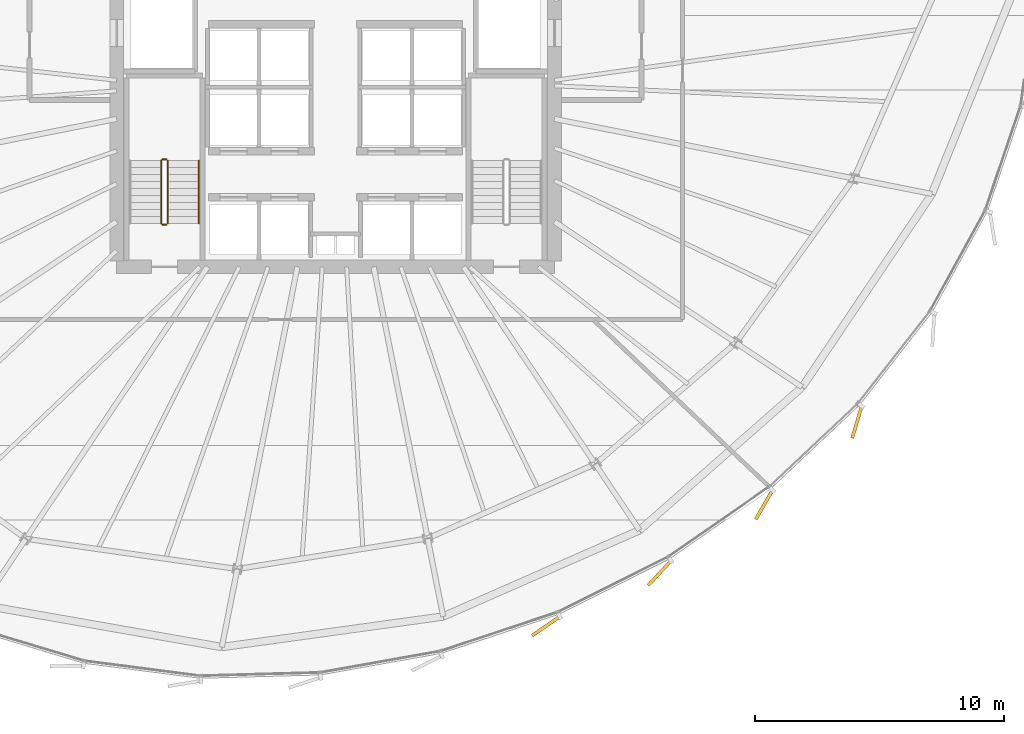
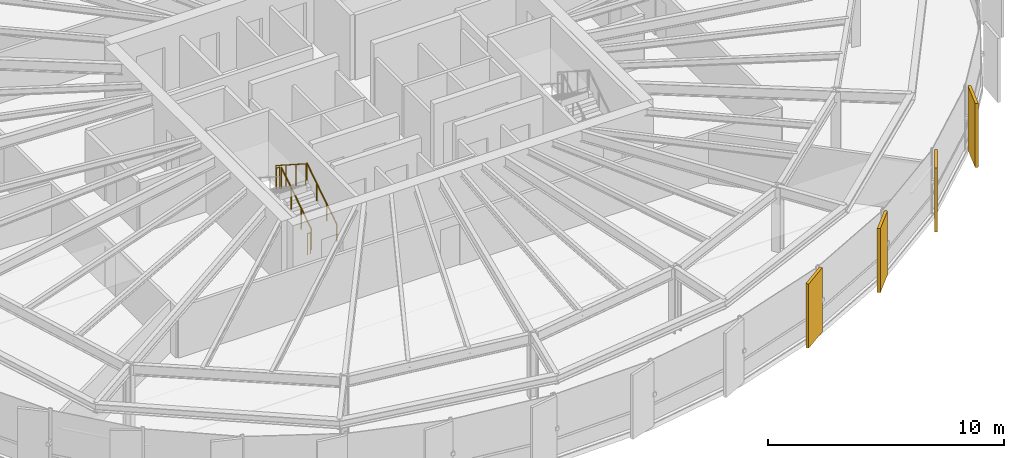
# One storey, part 32 of 34: 5 railings, 4 coverings.
"""IFC4 building model written with IfcOpenShell, lengths in metres."""

from ifc_helpers import new_model, si_unit, direction, frame, origin, origin_2d, place, context, subcontext, project, spatial, rectangle, circle, extrude, source, transform, mapped, material, layer, layer_set, type_object, element, save


model = new_model("IFC4")

# Units and contexts
model_context = context("Model", 3, precision=1e-05, world=origin(), true_north=direction((0.0, 1.0)))
body_context = subcontext(model_context, "Body", "Model", "MODEL_VIEW")
ifc_project = project(units=[si_unit("LENGTHUNIT", "METRE"), si_unit("AREAUNIT", "SQUARE_METRE"), si_unit("VOLUMEUNIT", "CUBIC_METRE"), si_unit("PLANEANGLEUNIT", "RADIAN"), si_unit("MASSUNIT", "GRAM", prefix="KILO"), si_unit("THERMODYNAMICTEMPERATUREUNIT", "KELVIN")], contexts=[model_context])

# Site, building, storey
site_placement = place(None, origin())
site = spatial("IfcSite", under=ifc_project, at=site_placement, CompositionType="ELEMENT")
building_placement = place(site_placement, origin())
building = spatial("IfcBuilding", under=site, at=building_placement, Name="Kethvar Cultural Tower", CompositionType="ELEMENT")
storey_placement = place(building_placement, frame((0.0, 0.0, 125.199951171875)))
storey = spatial("IfcBuildingStorey", under=building, at=storey_placement, Name="L31", CompositionType="ELEMENT", Elevation=125.199951171875)

# Railings
ifc_material_1 = material(Name="Steel S355J2", Category="steel")
railing_type_1 = type_object("IfcRailingType", Name="RL-STAIR-GUARD", PredefinedType="BALUSTRADE", material=ifc_material_1)
railing_1_placement = place(storey_placement, frame((40.050048828125, 21.85009765625, 0.179931640625)))
element("IfcRailing", 1, at=railing_1_placement, inside=storey, type_object=railing_type_1, Name="L31 ST-01 stair guard 1", PredefinedType="BALUSTRADE", context=body_context, shape_type="SweptSolid", body=[
    extrude(circle(Radius=0.02392578125, at=origin_2d()), frame((0.0, 0.0, 1.09619140625), z_axis=(0.0, 0.841162588446, 0.540782303519), x_axis=(-1.0, 0.0, 0.0)), (0.0, 0.0, 1.0), 2.995849609375),
    extrude(circle(Radius=0.02099609375, at=origin_2d()), origin(), (0.0, 0.0, 1.0), 1.072021484375),
    extrude(circle(Radius=0.02099609375, at=origin_2d()), frame((0.0, 0.840087890625, 0.5400390625)), (0.0, 0.0, 1.0), 1.072021484375),
    extrude(circle(Radius=0.02099609375, at=origin_2d()), frame((0.0, 1.679931640625, 1.080078125)), (0.0, 0.0, 1.0), 1.072021484375),
    extrude(circle(Radius=0.02099609375, at=origin_2d()), frame((0.0, 2.52001953125, 1.6201171875)), (0.0, 0.0, 1.0), 1.072021484375),
])
railing_2_placement = place(storey_placement, frame((40.0, 24.419921875, 1.800048828125)))
element("IfcRailing", 2, at=railing_2_placement, inside=storey, type_object=railing_type_1, Name="L31 ST-01 stair guard 2", PredefinedType="BALUSTRADE", context=body_context, shape_type="SweptSolid", body=[
    extrude(circle(Radius=0.02392578125, at=origin_2d()), frame((0.0, 0.0, 1.09619140625), z_axis=(-1.0, 0.0, 0.0), x_axis=(0.0, -1.0, 0.0)), (0.0, 0.0, 1.0), 0.159912109375),
    extrude(circle(Radius=0.02099609375, at=origin_2d()), origin(), (0.0, 0.0, 1.0), 1.072021484375),
    extrude(circle(Radius=0.02099609375, at=origin_2d()), frame((-0.159912109375, 0.0, 0.0)), (0.0, 0.0, 1.0), 1.072021484375),
])
railing_3_placement = place(storey_placement, frame((39.7900390625, 24.3701171875, 1.97998046875)))
element("IfcRailing", 3, at=railing_3_placement, inside=storey, type_object=railing_type_1, Name="L31 ST-01 stair guard 3", PredefinedType="BALUSTRADE", context=body_context, shape_type="SweptSolid", body=[
    extrude(circle(Radius=0.02392578125, at=origin_2d()), frame((0.0, 0.0, 1.09619140625), z_axis=(0.0, -0.841162588446, 0.540782303519), x_axis=(1.0, 0.0, 0.0)), (0.0, 0.0, 1.0), 2.995849609375),
    extrude(circle(Radius=0.02099609375, at=origin_2d()), origin(), (0.0, 0.0, 1.0), 1.072021484375),
    extrude(circle(Radius=0.02099609375, at=origin_2d()), frame((0.0, -0.840087890625, 0.5400390625)), (0.0, 0.0, 1.0), 1.072021484375),
    extrude(circle(Radius=0.02099609375, at=origin_2d()), frame((0.0, -1.679931640625, 1.080078125)), (0.0, 0.0, 1.0), 1.072021484375),
    extrude(circle(Radius=0.02099609375, at=origin_2d()), frame((0.0, -2.52001953125, 1.6201171875)), (0.0, 0.0, 1.0), 1.072021484375),
])
railing_4_placement = place(storey_placement, frame((40.0, 21.800048828125, 0.0)))
element("IfcRailing", 4, at=railing_4_placement, inside=storey, type_object=railing_type_1, Name="L31 ST-01 stair guard 4", PredefinedType="BALUSTRADE", context=body_context, shape_type="SweptSolid", body=[
    extrude(circle(Radius=0.02392578125, at=origin_2d()), frame((0.0, 0.0, 1.09619140625), z_axis=(-1.0, 0.0, 0.0), x_axis=(0.0, -1.0, 0.0)), (0.0, 0.0, 1.0), 0.159912109375),
    extrude(circle(Radius=0.02099609375, at=origin_2d()), origin(), (0.0, 0.0, 1.0), 1.072021484375),
    extrude(circle(Radius=0.02099609375, at=origin_2d()), frame((-0.159912109375, 0.0, 0.0)), (0.0, 0.0, 1.0), 1.072021484375),
])
railing_type_2 = type_object("IfcRailingType", Name="RL-STAIR-HANDRAIL", PredefinedType="HANDRAIL", material=ifc_material_1)
railing_5_placement = place(storey_placement, frame((41.300048828125, 21.85009765625, 0.179931640625)))
element("IfcRailing", 5, at=railing_5_placement, inside=storey, type_object=railing_type_2, Name="L31 ST-01 stair handrail 1", PredefinedType="HANDRAIL", context=body_context, shape_type="SweptSolid", body=[
    extrude(circle(Radius=0.02392578125, at=origin_2d()), frame((0.0, 0.0, 0.8759765625), z_axis=(0.0, 0.841162588446, 0.540782303519), x_axis=(-1.0, 0.0, 0.0)), (0.0, 0.0, 1.0), 2.995849609375),
    extrude(circle(Radius=0.02099609375, at=origin_2d()), origin(), (0.0, 0.0, 1.0), 0.851806640625),
    extrude(circle(Radius=0.02099609375, at=origin_2d()), frame((0.0, 0.840087890625, 0.5400390625)), (0.0, 0.0, 1.0), 0.851806640625),
    extrude(circle(Radius=0.02099609375, at=origin_2d()), frame((0.0, 1.679931640625, 1.080078125)), (0.0, 0.0, 1.0), 0.851806640625),
    extrude(circle(Radius=0.02099609375, at=origin_2d()), frame((0.0, 2.52001953125, 1.6201171875)), (0.0, 0.0, 1.0), 0.851806640625),
])

# Coverings
ifc_material_2 = material(Name="Extruded Architectural Terracotta", Category="masonry")
ifc_layer = layer(ifc_material_2, 0.135009765625, Name="Extruded Architectural Terracotta", Category="masonry")
ifc_layer_set = layer_set([ifc_layer], Name="Extruded Architectural Terracotta (135 mm)")
covering_type = type_object("IfcCoveringType", Name="Terracotta Facade Fin FIN-02", PredefinedType="CLADDING", material=ifc_layer_set)
shared_shape = source(origin(), body_context, "Body", "SweptSolid", [
    extrude(rectangle(XDim=1.35009765625, YDim=0.135009765625, at=origin_2d()), origin(), (0.0, 0.0, 1.0), 3.31005859375),
])
for number, where, z_axis, x_axis, name in (
    (6, (55.262939453125, 5.65869140625, 0.02001953125), (0.0, 0.0, 1.0), (-0.823136368534, -0.567843745053, 0.0), "L31 Vertical Terracotta Fin 5.4"),
    (7, (59.82958984375, 7.788818359375, 0.02001953125), (0.0, 0.0, 1.0), (-0.682508775026, -0.730877398756, 0.0), "L31 Vertical Terracotta Fin 5.5"),
    (8, (64.031982421875, 10.53662109375, 0.02001953125), (0.0, 0.0, 1.0), (-0.499092826328, -0.866548527613, 0.0), "L31 Vertical Terracotta Fin 5.6"),
    (9, (67.763916015625, 13.860107421875, 0.02001953125), (0.0, 0.0, 1.0), (-0.288697611798, -0.957420330337, 0.0), "L31 Vertical Terracotta Fin 6.1"),
):
    element("IfcCovering", number, at=place(storey_placement, frame(where, z_axis=z_axis, x_axis=x_axis)), inside=storey, type_object=covering_type, Name=name, PredefinedType="CLADDING", context=body_context, shape_type="MappedRepresentation", body=[
        mapped(shared_shape, transform((0.0, 0.0, 0.0), scale=1.0)),
    ])

save(model, "model.ifc")
